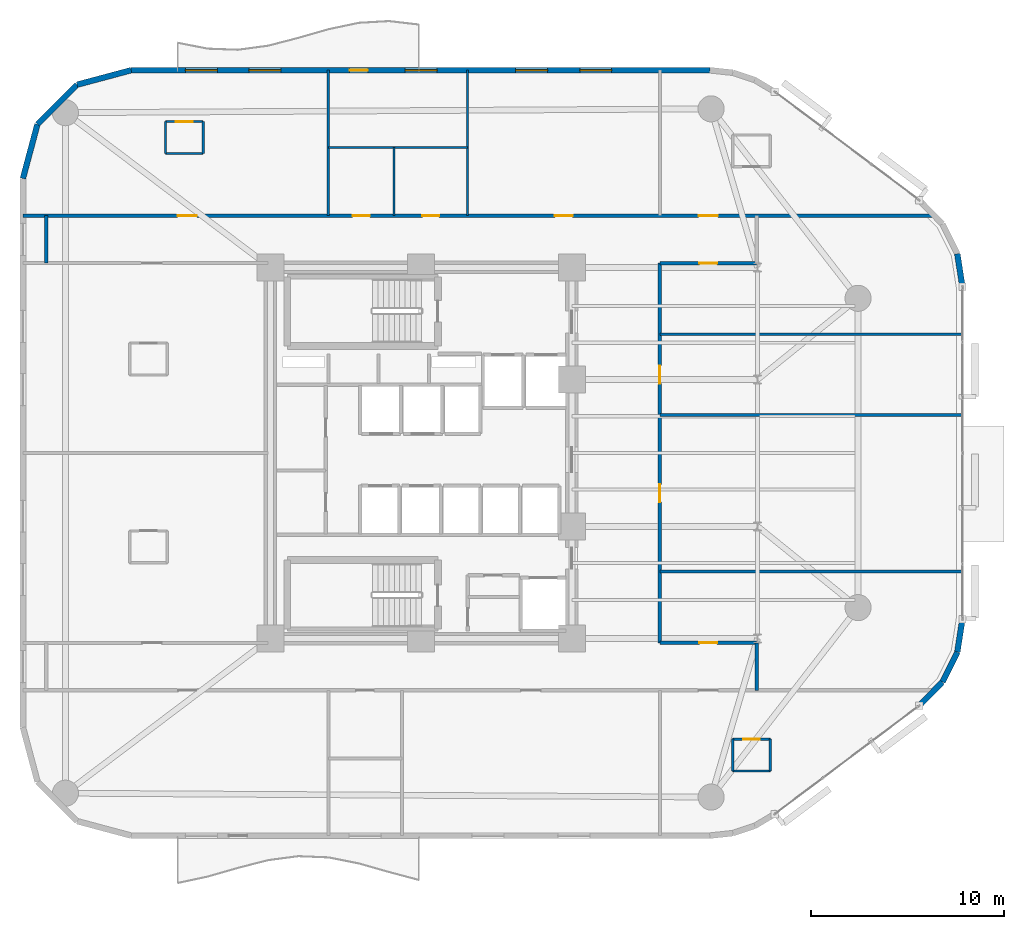
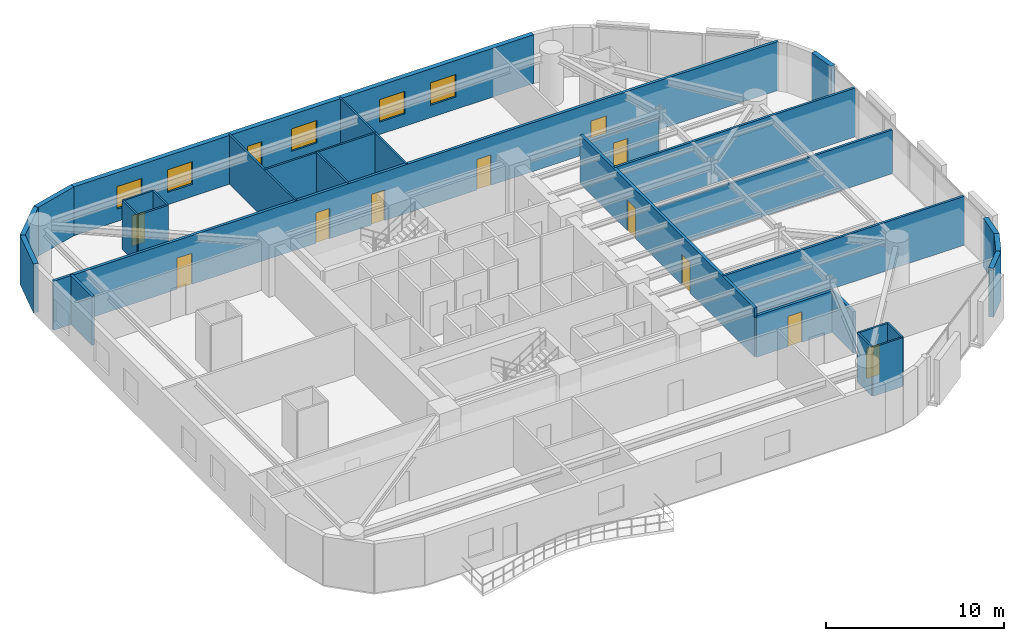
# One storey, part 12 of 15: 29 walls, 12 doors, 5 windows, 17 openings.
"""IFC4 building model written with IfcOpenShell, lengths in metres."""

from ifc_helpers import new_model, si_unit, direction, frame, frame_2d, origin, place, context, subcontext, project, spatial, rectangle, extrude, material, layer, layer_set, type_object, element, fill, save


model = new_model("IFC4")

# Units and contexts
model_context = context("Model", 3, precision=1e-05, world=origin(), true_north=direction((0.0, 1.0)))
body_context = subcontext(model_context, "Body", "Model", "MODEL_VIEW")
ifc_project = project(units=[si_unit("LENGTHUNIT", "METRE"), si_unit("AREAUNIT", "SQUARE_METRE"), si_unit("VOLUMEUNIT", "CUBIC_METRE"), si_unit("PLANEANGLEUNIT", "RADIAN"), si_unit("MASSUNIT", "GRAM", prefix="KILO")], contexts=[model_context])

# Site, building, storey
site_placement = place(None, origin())
site = spatial("IfcSite", under=ifc_project, at=site_placement, CompositionType="ELEMENT")
building_placement = place(site_placement, origin())
building = spatial("IfcBuilding", under=site, at=building_placement, Name="An Khanh Terracotta Commons", CompositionType="ELEMENT")
storey_placement = place(building_placement, frame((0.0, 0.0, 129.5)))
storey = spatial("IfcBuildingStorey", under=building, at=storey_placement, Name="L34", CompositionType="ELEMENT", Elevation=129.5)

# Wall, opening, door
ifc_material_1 = material(Name="Fire-Rated Gypsum Board on Steel Stud", Category="steel")
ifc_layer_1 = layer(ifc_material_1, 0.179931640625, Name="Fire-Rated Gypsum Board on Steel Stud")
ifc_layer_set_1 = layer_set([ifc_layer_1], Name="Fire-Rated Gypsum Board on Steel Stud")
wall_type_1 = type_object("IfcWallType", Name="WALL-CORR-180", PredefinedType="PARTITIONING", material=ifc_layer_set_1)
wall_1_placement = place(storey_placement, frame((41.75, 14.179931640625, 0.0), z_axis=(0.0, 0.0, 1.0), x_axis=(1.0, 0.0, 0.0)))
wall_1 = element("IfcWall", 1, at=wall_1_placement, inside=storey, type_object=wall_type_1, Name="L34 Interior Partition IW-L34-E004", PredefinedType="PARTITIONING", context=body_context, shape_type="SweptSolid", body=[
    extrude(rectangle(XDim=5.0, YDim=0.179931640625, at=frame_2d((2.5, 0.0))), origin(), (0.0, 0.0, 1.0), 2.842041015625),
])
opening_1_placement = place(wall_1_placement, frame((2.0400390625, 0.0, 0.0)))
opening_1 = element("IfcOpeningElement", 2, at=opening_1_placement, cuts=wall_1, Name="Opening D-RM", PredefinedType="OPENING", context=body_context, shape_type="SweptSolid", body=[
    extrude(rectangle(XDim=0.919921875, YDim=2.10009765625, at=frame_2d((0.4599609375, 1.050048828125))), frame((0.0, 0.099853515625, 0.0), z_axis=(0.0, -1.0, 0.0), x_axis=(1.0, 0.0, 0.0)), (0.0, 0.0, 1.0), 0.199951171875),
])
ifc_material_2 = material(Name="Engineered Hardwood Timber Leaf", Category="wood")
door_type_1 = type_object("IfcDoorType", Name="DOOR-INT-920", OperationType="NOTDEFINED", PredefinedType="DOOR", material=ifc_material_2)
door_1_placement = place(opening_1_placement, origin())
door_1 = element("IfcDoor", 3, at=door_1_placement, inside=storey, type_object=door_type_1, Name="L34 FAN1 Collaborative Study Lounge Door", OperationType="SINGLE_SWING_RIGHT", OverallHeight=2.10009765625, OverallWidth=0.919921875, PredefinedType="DOOR", context=body_context, shape_type="SweptSolid", body=[
    extrude(rectangle(XDim=0.919921875, YDim=2.10009765625, at=frame_2d((0.4599609375, 1.050048828125))), frame((0.0, 0.02490234375, 0.0), z_axis=(0.0, -1.0, 0.0), x_axis=(1.0, 0.0, 0.0)), (0.0, 0.0, 1.0), 0.050048828125),
])
fill(opening_1, door_1)

wall_2_placement = place(storey_placement, frame((41.75, 33.820068359375, 0.0), z_axis=(0.0, 0.0, 1.0), x_axis=(1.0, 0.0, 0.0)))
wall_2 = element("IfcWall", 4, at=wall_2_placement, inside=storey, type_object=wall_type_1, Name="L34 Interior Partition IW-L34-E010", PredefinedType="PARTITIONING", context=body_context, shape_type="SweptSolid", body=[
    extrude(rectangle(XDim=5.0, YDim=0.179931640625, at=frame_2d((2.5, 0.0))), origin(), (0.0, 0.0, 1.0), 2.842041015625),
])
opening_2_placement = place(wall_2_placement, frame((2.0400390625, 0.0, 0.0)))
opening_2 = element("IfcOpeningElement", 5, at=opening_2_placement, cuts=wall_2, Name="Opening D-RM", PredefinedType="OPENING", context=body_context, shape_type="SweptSolid", body=[
    extrude(rectangle(XDim=0.919921875, YDim=2.10009765625, at=frame_2d((0.4599609375, 1.050048828125))), frame((0.0, 0.099853515625, 0.0), z_axis=(0.0, -1.0, 0.0), x_axis=(1.0, 0.0, 0.0)), (0.0, 0.0, 1.0), 0.199951171875),
])
door_2_placement = place(opening_2_placement, origin())
door_2 = element("IfcDoor", 6, at=door_2_placement, inside=storey, type_object=door_type_1, Name="L34 FAN4 Collaborative Study Lounge Door", OperationType="SINGLE_SWING_LEFT", OverallHeight=2.10009765625, OverallWidth=0.919921875, PredefinedType="DOOR", context=body_context, shape_type="SweptSolid", body=[
    extrude(rectangle(XDim=0.919921875, YDim=2.10009765625, at=frame_2d((0.4599609375, 1.050048828125))), frame((0.0, 0.02490234375, 0.0), z_axis=(0.0, -1.0, 0.0), x_axis=(1.0, 0.0, 0.0)), (0.0, 0.0, 1.0), 0.050048828125),
])
fill(opening_2, door_2)

# Wall, openings, doors
wall_3_placement = place(storey_placement, frame((8.800048828125, 36.280029296875, 0.0), z_axis=(0.0, 0.0, 1.0), x_axis=(1.0, 0.0, 0.0)))
wall_3 = element("IfcWall", 7, at=wall_3_placement, inside=storey, type_object=wall_type_1, Name="L34 Interior Partition IW-L34-E011", PredefinedType="PARTITIONING", context=body_context, shape_type="SweptSolid", body=[
    extrude(rectangle(XDim=47.140869140625, YDim=0.179931640625, at=frame_2d((23.5703125, 0.0))), origin(), (0.0, 0.0, 1.0), 3.360107421875),
])
opening_3_placement = place(wall_3_placement, frame((17.050048828125, 0.0, 0.0)))
opening_3 = element("IfcOpeningElement", 8, at=opening_3_placement, cuts=wall_3, Name="Opening D-WC", PredefinedType="OPENING", context=body_context, shape_type="SweptSolid", body=[
    extrude(rectangle(XDim=0.89990234375, YDim=2.10009765625, at=frame_2d((0.449951171875, 1.050048828125))), frame((0.0, 0.099853515625, 0.0), z_axis=(0.0, -1.0, 0.0), x_axis=(1.0, 0.0, 0.0)), (0.0, 0.0, 1.0), 0.199951171875),
])
opening_4_placement = place(wall_3_placement, frame((20.669921875, 0.0, 0.0)))
opening_4 = element("IfcOpeningElement", 9, at=opening_4_placement, cuts=wall_3, Name="Opening D-ENS", PredefinedType="OPENING", context=body_context, shape_type="SweptSolid", body=[
    extrude(rectangle(XDim=0.860107421875, YDim=2.10009765625, at=frame_2d((0.43017578125, 1.050048828125))), frame((0.0, 0.099853515625, 0.0), z_axis=(0.0, -1.0, 0.0), x_axis=(1.0, 0.0, 0.0)), (0.0, 0.0, 1.0), 0.199951171875),
])
opening_5_placement = place(wall_3_placement, frame((34.949951171875, 0.0, 0.0)))
opening_5 = element("IfcOpeningElement", 10, at=opening_5_placement, cuts=wall_3, Name="Opening D-UN", PredefinedType="OPENING", context=body_context, shape_type="SweptSolid", body=[
    extrude(rectangle(XDim=1.0, YDim=2.14990234375, at=frame_2d((0.5, 1.074951171875))), frame((0.0, 0.099853515625, 0.0), z_axis=(0.0, -1.0, 0.0), x_axis=(1.0, 0.0, 0.0)), (0.0, 0.0, 1.0), 0.199951171875),
])
opening_6_placement = place(wall_3_placement, frame((8.0, 0.0, 0.0)))
opening_6 = element("IfcOpeningElement", 11, at=opening_6_placement, cuts=wall_3, Name="Opening D-UN", PredefinedType="OPENING", context=body_context, shape_type="SweptSolid", body=[
    extrude(rectangle(XDim=1.0, YDim=2.14990234375, at=frame_2d((0.5, 1.074951171875))), frame((0.0, 0.099853515625, 0.0), z_axis=(0.0, -1.0, 0.0), x_axis=(1.0, 0.0, 0.0)), (0.0, 0.0, 1.0), 0.199951171875),
])
opening_7_placement = place(wall_3_placement, frame((27.514892578125, 0.0, 0.0)))
opening_7 = element("IfcOpeningElement", 12, at=opening_7_placement, cuts=wall_3, Name="Opening D-RM", PredefinedType="OPENING", context=body_context, shape_type="SweptSolid", body=[
    extrude(rectangle(XDim=0.919921875, YDim=2.10009765625, at=frame_2d((0.4599609375, 1.050048828125))), frame((0.0, 0.099853515625, 0.0), z_axis=(0.0, -1.0, 0.0), x_axis=(1.0, 0.0, 0.0)), (0.0, 0.0, 1.0), 0.199951171875),
])
ifc_material_3 = material(Name="Moisture-Resistant Hardwood Timber Leaf", Category="wood")
door_type_2 = type_object("IfcDoorType", Name="DOOR-BATH-860", OperationType="NOTDEFINED", PredefinedType="DOOR", material=ifc_material_3)
door_3_placement = place(opening_4_placement, origin())
door_3 = element("IfcDoor", 13, at=door_3_placement, inside=storey, type_object=door_type_2, Name="L34 SHW Resident Shared Shower and Washroom Door", OperationType="SINGLE_SWING_RIGHT", OverallHeight=2.10009765625, OverallWidth=0.860107421875, PredefinedType="DOOR", context=body_context, shape_type="SweptSolid", body=[
    extrude(rectangle(XDim=0.860107421875, YDim=2.10009765625, at=frame_2d((0.43017578125, 1.050048828125))), frame((0.0, 0.02490234375, 0.0), z_axis=(0.0, -1.0, 0.0), x_axis=(1.0, 0.0, 0.0)), (0.0, 0.0, 1.0), 0.050048828125),
])
fill(opening_4, door_3)
door_4_placement = place(opening_7_placement, origin())
door_4 = element("IfcDoor", 14, at=door_4_placement, inside=storey, type_object=door_type_1, Name="L34 NWE Quiet Focus Office Door", OperationType="SINGLE_SWING_LEFT", OverallHeight=2.10009765625, OverallWidth=0.919921875, PredefinedType="DOOR", context=body_context, shape_type="SweptSolid", body=[
    extrude(rectangle(XDim=0.919921875, YDim=2.10009765625, at=frame_2d((0.4599609375, 1.050048828125))), frame((0.0, 0.02490234375, 0.0), z_axis=(0.0, -1.0, 0.0), x_axis=(1.0, 0.0, 0.0)), (0.0, 0.0, 1.0), 0.050048828125),
])
fill(opening_7, door_4)
ifc_material_4 = material(Name="Solid-Core Hardwood Acoustic Fire Door", Category="wood")
door_type_3 = type_object("IfcDoorType", Name="DOOR-UNIT-1000", OperationType="NOTDEFINED", PredefinedType="DOOR", material=ifc_material_4)
door_5_placement = place(opening_5_placement, origin())
door_5 = element("IfcDoor", 15, at=door_5_placement, inside=storey, type_object=door_type_3, Name="L34 FANN Kitchenette and Studio Apartment Door", OperationType="SINGLE_SWING_RIGHT", OverallHeight=2.14990234375, OverallWidth=1.0, PredefinedType="DOOR", context=body_context, shape_type="SweptSolid", body=[
    extrude(rectangle(XDim=1.0, YDim=2.14990234375, at=frame_2d((0.5, 1.074951171875))), frame((0.0, 0.02490234375, 0.0), z_axis=(0.0, -1.0, 0.0), x_axis=(1.0, 0.0, 0.0)), (0.0, 0.0, 1.0), 0.050048828125),
])
fill(opening_5, door_5)
door_6_placement = place(opening_6_placement, origin())
door_6 = element("IfcDoor", 16, at=door_6_placement, inside=storey, type_object=door_type_3, Name="L34 NW1 Kitchenette and Studio Apartment Door", OperationType="SINGLE_SWING_RIGHT", OverallHeight=2.14990234375, OverallWidth=1.0, PredefinedType="DOOR", context=body_context, shape_type="SweptSolid", body=[
    extrude(rectangle(XDim=1.0, YDim=2.14990234375, at=frame_2d((0.5, 1.074951171875))), frame((0.0, 0.02490234375, 0.0), z_axis=(0.0, -1.0, 0.0), x_axis=(1.0, 0.0, 0.0)), (0.0, 0.0, 1.0), 0.050048828125),
])
fill(opening_6, door_6)
ifc_material_5 = material(Name="Laminate Moisture-Resistant Timber Leaf", Category="wood")
door_type_4 = type_object("IfcDoorType", Name="DOOR-WC-900", OperationType="NOTDEFINED", PredefinedType="DOOR", material=ifc_material_5)
door_7_placement = place(opening_3_placement, origin())
door_7 = element("IfcDoor", 17, at=door_7_placement, inside=storey, type_object=door_type_4, Name="L34 AWC Accessible WC Door", OperationType="SINGLE_SWING_LEFT", OverallHeight=2.10009765625, OverallWidth=0.89990234375, PredefinedType="DOOR", context=body_context, shape_type="SweptSolid", body=[
    extrude(rectangle(XDim=0.89990234375, YDim=2.10009765625, at=frame_2d((0.449951171875, 1.050048828125))), frame((0.0, 0.02490234375, 0.0), z_axis=(0.0, -1.0, 0.0), x_axis=(1.0, 0.0, 0.0)), (0.0, 0.0, 1.0), 0.050048828125),
])
fill(opening_3, door_7)

# Wall
wall_4_placement = place(storey_placement, frame((10.0, 33.820068359375, 0.0), z_axis=(0.0, 0.0, 1.0), x_axis=(0.0, 1.0, 0.0)))
element("IfcWall", 18, at=wall_4_placement, inside=storey, type_object=wall_type_1, Name="L34 Interior Partition IW-L34-E014", PredefinedType="PARTITIONING", context=body_context, shape_type="SweptSolid", body=[
    extrude(rectangle(XDim=2.4599609375, YDim=0.179931640625, at=frame_2d((1.22998046875, 0.0))), origin(), (0.0, 0.0, 1.0), 3.360107421875),
])

# Wall, openings, doors
wall_5_placement = place(storey_placement, frame((41.75, 14.179931640625, 0.0), z_axis=(0.0, 0.0, 1.0), x_axis=(0.0, 1.0, 0.0)))
wall_5 = element("IfcWall", 19, at=wall_5_placement, inside=storey, type_object=wall_type_1, Name="L34 Interior Partition IW-L34-E021", PredefinedType="PARTITIONING", context=body_context, shape_type="SweptSolid", body=[
    extrude(rectangle(XDim=19.64013671875, YDim=0.179931640625, at=frame_2d((9.820068359375, 0.0))), origin(), (0.0, 0.0, 1.0), 3.360107421875),
])
opening_8_placement = place(wall_5_placement, frame((7.27294921875, 0.0, 0.0)))
opening_8 = element("IfcOpeningElement", 20, at=opening_8_placement, cuts=wall_5, Name="Opening D-RM", PredefinedType="OPENING", context=body_context, shape_type="SweptSolid", body=[
    extrude(rectangle(XDim=0.919921875, YDim=2.10009765625, at=frame_2d((0.4599609375, 1.050048828125))), frame((0.0, 0.099853515625, 0.0), z_axis=(0.0, -1.0, 0.0), x_axis=(1.0, 0.0, 0.0)), (0.0, 0.0, 1.0), 0.199951171875),
])
opening_9_placement = place(wall_5_placement, frame((13.412109375, 0.0, 0.0)))
opening_9 = element("IfcOpeningElement", 21, at=opening_9_placement, cuts=wall_5, Name="Opening D-RM", PredefinedType="OPENING", context=body_context, shape_type="SweptSolid", body=[
    extrude(rectangle(XDim=0.919921875, YDim=2.10009765625, at=frame_2d((0.4599609375, 1.050048828125))), frame((0.0, 0.099853515625, 0.0), z_axis=(0.0, -1.0, 0.0), x_axis=(1.0, 0.0, 0.0)), (0.0, 0.0, 1.0), 0.199951171875),
])
door_8_placement = place(opening_8_placement, origin())
door_8 = element("IfcDoor", 22, at=door_8_placement, inside=storey, type_object=door_type_1, Name="L34 FAN2 Riverfront Reading Hall Door", OperationType="SINGLE_SWING_LEFT", OverallHeight=2.10009765625, OverallWidth=0.919921875, PredefinedType="DOOR", context=body_context, shape_type="SweptSolid", body=[
    extrude(rectangle(XDim=0.919921875, YDim=2.10009765625, at=frame_2d((0.4599609375, 1.050048828125))), frame((0.0, 0.02490234375, 0.0), z_axis=(0.0, -1.0, 0.0), x_axis=(1.0, 0.0, 0.0)), (0.0, 0.0, 1.0), 0.050048828125),
])
fill(opening_8, door_8)
door_9_placement = place(opening_9_placement, origin())
door_9 = element("IfcDoor", 23, at=door_9_placement, inside=storey, type_object=door_type_1, Name="L34 FAN3 Collaborative Study Lounge Door", OperationType="SINGLE_SWING_RIGHT", OverallHeight=2.10009765625, OverallWidth=0.919921875, PredefinedType="DOOR", context=body_context, shape_type="SweptSolid", body=[
    extrude(rectangle(XDim=0.919921875, YDim=2.10009765625, at=frame_2d((0.4599609375, 1.050048828125))), frame((0.0, 0.02490234375, 0.0), z_axis=(0.0, -1.0, 0.0), x_axis=(1.0, 0.0, 0.0)), (0.0, 0.0, 1.0), 0.050048828125),
])
fill(opening_9, door_9)

# Walls
wall_6_placement = place(storey_placement, frame((46.75, 11.719970703125, 0.0), z_axis=(0.0, 0.0, 1.0), x_axis=(0.0, 1.0, 0.0)))
element("IfcWall", 24, at=wall_6_placement, inside=storey, type_object=wall_type_1, Name="L34 Interior Partition IW-L34-E023", PredefinedType="PARTITIONING", context=body_context, shape_type="SweptSolid", body=[
    extrude(rectangle(XDim=2.4599609375, YDim=0.179931640625, at=frame_2d((1.22998046875, 0.0))), origin(), (0.0, 0.0, 1.0), 2.842041015625),
])
ifc_material_6 = material(Name="Precast concrete C40/50", Category="concrete")
ifc_layer_2 = layer(ifc_material_6, 0.300048828125, Name="Precast concrete C40/50")
ifc_layer_set_2 = layer_set([ifc_layer_2], Name="Precast concrete C40/50")
wall_type_2 = type_object("IfcWallType", Name="WALL-EXT-300", PredefinedType="SOLIDWALL", material=ifc_layer_set_2)
for number, where, z_axis, x_axis, name in (
    (25, (55.159912109375, 10.919921875, 0.0), (0.0, 0.0, 1.0), (0.6983450845, 0.715761233201, 0.0), "L34 Insulated Terracotta Exterior Wall 9"),
    (26, (56.364013671875, 12.154052734375, 0.0), (0.0, 0.0, 1.0), (0.4472135955, 0.894427191, 0.0), "L34 Insulated Terracotta Exterior Wall 10"),
):
    element("IfcWall", number, at=place(storey_placement, frame(where, z_axis=z_axis, x_axis=x_axis)), inside=storey, type_object=wall_type_2, Name=name, PredefinedType="SOLIDWALL", context=body_context, shape_type="SweptSolid", body=[
        extrude(rectangle(XDim=1.72412109375, YDim=0.300048828125, at=frame_2d((0.862060546875, 0.0))), origin(), (0.0, 0.0, 1.0), 3.360107421875),
    ])
for number, where, z_axis, x_axis, name in (
    (27, (57.135009765625, 13.696044921875, 0.0), (0.0, 0.0, 1.0), (0.153620989032, 0.988129845581, 0.0), "L34 Insulated Terracotta Exterior Wall 11"),
    (28, (57.39990234375, 32.60009765625, 0.0), (0.0, 0.0, 1.0), (-0.153620989032, 0.988129845581, 0.0), "L34 Insulated Terracotta Exterior Wall 13"),
):
    element("IfcWall", number, at=place(storey_placement, frame(where, z_axis=z_axis, x_axis=x_axis)), inside=storey, type_object=wall_type_2, Name=name, PredefinedType="SOLIDWALL", context=body_context, shape_type="SweptSolid", body=[
        extrude(rectangle(XDim=1.724365234375, YDim=0.300048828125, at=frame_2d((0.8623046875, 0.0))), origin(), (0.0, 0.0, 1.0), 3.360107421875),
    ])

# Wall, openings, door, windows
wall_7_placement = place(storey_placement, frame((44.3330078125, 43.800048828125, 0.0), z_axis=(0.0, 0.0, 1.0), x_axis=(-1.0, 0.0, 0.0)))
wall_7 = element("IfcWall", 29, at=wall_7_placement, inside=storey, type_object=wall_type_2, Name="L34 Insulated Terracotta Exterior Wall 20", PredefinedType="SOLIDWALL", context=body_context, shape_type="SweptSolid", body=[
    extrude(rectangle(XDim=29.93310546875, YDim=0.300048828125, at=frame_2d((14.966552734375, 0.0))), origin(), (0.0, 0.0, 1.0), 3.360107421875),
])
opening_10_placement = place(wall_7_placement, frame((17.68310546875, 0.0, 0.0)))
opening_10 = element("IfcOpeningElement", 30, at=opening_10_placement, cuts=wall_7, Name="Opening D-BAL", PredefinedType="OPENING", context=body_context, shape_type="SweptSolid", body=[
    extrude(rectangle(XDim=0.949951171875, YDim=2.199951171875, at=frame_2d((0.47509765625, 1.10009765625))), frame((0.0, 0.159912109375, 0.0), z_axis=(0.0, -1.0, 0.0), x_axis=(1.0, 0.0, 0.0)), (0.0, 0.0, 1.0), 0.320068359375),
])
opening_11_placement = place(wall_7_placement, frame((5.074951171875, 0.0, 0.85009765625)))
opening_11 = element("IfcOpeningElement", 31, at=opening_11_placement, cuts=wall_7, Name="Opening W-02", PredefinedType="OPENING", context=body_context, shape_type="SweptSolid", body=[
    extrude(rectangle(XDim=1.64990234375, YDim=1.550048828125, at=frame_2d((0.824951171875, 0.77490234375))), frame((0.0, 0.159912109375, 0.0), z_axis=(0.0, -1.0, 0.0), x_axis=(1.0, 0.0, 0.0)), (0.0, 0.0, 1.0), 0.320068359375),
])
opening_12_placement = place(wall_7_placement, frame((8.39111328125, 0.0, 0.85009765625)))
opening_12 = element("IfcOpeningElement", 32, at=opening_12_placement, cuts=wall_7, Name="Opening W-02", PredefinedType="OPENING", context=body_context, shape_type="SweptSolid", body=[
    extrude(rectangle(XDim=1.64990234375, YDim=1.550048828125, at=frame_2d((0.824951171875, 0.77490234375))), frame((0.0, 0.159912109375, 0.0), z_axis=(0.0, -1.0, 0.0), x_axis=(1.0, 0.0, 0.0)), (0.0, 0.0, 1.0), 0.320068359375),
])
opening_13_placement = place(wall_7_placement, frame((14.10791015625, 0.0, 0.85009765625)))
opening_13 = element("IfcOpeningElement", 33, at=opening_13_placement, cuts=wall_7, Name="Opening W-02", PredefinedType="OPENING", context=body_context, shape_type="SweptSolid", body=[
    extrude(rectangle(XDim=1.64990234375, YDim=1.550048828125, at=frame_2d((0.824951171875, 0.77490234375))), frame((0.0, 0.159912109375, 0.0), z_axis=(0.0, -1.0, 0.0), x_axis=(1.0, 0.0, 0.0)), (0.0, 0.0, 1.0), 0.320068359375),
])
opening_14_placement = place(wall_7_placement, frame((22.19091796875, 0.0, 0.85009765625)))
opening_14 = element("IfcOpeningElement", 34, at=opening_14_placement, cuts=wall_7, Name="Opening W-02", PredefinedType="OPENING", context=body_context, shape_type="SweptSolid", body=[
    extrude(rectangle(XDim=1.64990234375, YDim=1.550048828125, at=frame_2d((0.824951171875, 0.77490234375))), frame((0.0, 0.159912109375, 0.0), z_axis=(0.0, -1.0, 0.0), x_axis=(1.0, 0.0, 0.0)), (0.0, 0.0, 1.0), 0.320068359375),
])
opening_15_placement = place(wall_7_placement, frame((25.47509765625, 0.0, 0.85009765625)))
opening_15 = element("IfcOpeningElement", 35, at=opening_15_placement, cuts=wall_7, Name="Opening W-02", PredefinedType="OPENING", context=body_context, shape_type="SweptSolid", body=[
    extrude(rectangle(XDim=1.64990234375, YDim=1.550048828125, at=frame_2d((0.824951171875, 0.77490234375))), frame((0.0, 0.159912109375, 0.0), z_axis=(0.0, -1.0, 0.0), x_axis=(1.0, 0.0, 0.0)), (0.0, 0.0, 1.0), 0.320068359375),
])
ifc_material_7 = material(Name="Thermally Broken Aluminium and Low-E Glass", Category="aluminium")
door_type_5 = type_object("IfcDoorType", Name="DOOR-BALC-950", OperationType="NOTDEFINED", PredefinedType="DOOR", material=ifc_material_7)
door_10_placement = place(opening_10_placement, origin())
door_10 = element("IfcDoor", 36, at=door_10_placement, inside=storey, type_object=door_type_5, Name="L34 N Wave Balcony Glazed Door", OperationType="SINGLE_SWING_RIGHT", OverallHeight=2.199951171875, OverallWidth=0.949951171875, PredefinedType="DOOR", context=body_context, shape_type="SweptSolid", body=[
    extrude(rectangle(XDim=0.949951171875, YDim=2.199951171875, at=frame_2d((0.47509765625, 1.10009765625))), frame((0.0, 0.02490234375, 0.0), z_axis=(0.0, -1.0, 0.0), x_axis=(1.0, 0.0, 0.0)), (0.0, 0.0, 1.0), 0.050048828125),
])
fill(opening_10, door_10)
window_type = type_object("IfcWindowType", Name="WIN-Z2-1650x1550", PartitioningType="DOUBLE_PANEL_VERTICAL", PredefinedType="WINDOW", material=ifc_material_7)
window_1_placement = place(opening_11_placement, origin())
window_1 = element("IfcWindow", 37, at=window_1_placement, inside=storey, type_object=window_type, Name="L34 Operable Casement Window 20.1", OverallHeight=1.550048828125, OverallWidth=1.64990234375, PartitioningType="DOUBLE_PANEL_VERTICAL", PredefinedType="WINDOW", context=body_context, shape_type="SweptSolid", body=[
    extrude(rectangle(XDim=1.64990234375, YDim=1.550048828125, at=frame_2d((0.824951171875, 0.77490234375))), frame((0.0, 0.030029296875, 0.0), z_axis=(0.0, -1.0, 0.0), x_axis=(1.0, 0.0, 0.0)), (0.0, 0.0, 1.0), 0.06005859375),
])
fill(opening_11, window_1)
window_2_placement = place(opening_12_placement, origin())
window_2 = element("IfcWindow", 38, at=window_2_placement, inside=storey, type_object=window_type, Name="L34 Operable Casement Window 20.2", OverallHeight=1.550048828125, OverallWidth=1.64990234375, PartitioningType="DOUBLE_PANEL_VERTICAL", PredefinedType="WINDOW", context=body_context, shape_type="SweptSolid", body=[
    extrude(rectangle(XDim=1.64990234375, YDim=1.550048828125, at=frame_2d((0.824951171875, 0.77490234375))), frame((0.0, 0.030029296875, 0.0), z_axis=(0.0, -1.0, 0.0), x_axis=(1.0, 0.0, 0.0)), (0.0, 0.0, 1.0), 0.06005859375),
])
fill(opening_12, window_2)
window_3_placement = place(opening_13_placement, origin())
window_3 = element("IfcWindow", 39, at=window_3_placement, inside=storey, type_object=window_type, Name="L34 Operable Casement Window 20.3", OverallHeight=1.550048828125, OverallWidth=1.64990234375, PartitioningType="DOUBLE_PANEL_VERTICAL", PredefinedType="WINDOW", context=body_context, shape_type="SweptSolid", body=[
    extrude(rectangle(XDim=1.64990234375, YDim=1.550048828125, at=frame_2d((0.824951171875, 0.77490234375))), frame((0.0, 0.030029296875, 0.0), z_axis=(0.0, -1.0, 0.0), x_axis=(1.0, 0.0, 0.0)), (0.0, 0.0, 1.0), 0.06005859375),
])
fill(opening_13, window_3)
window_4_placement = place(opening_14_placement, origin())
window_4 = element("IfcWindow", 40, at=window_4_placement, inside=storey, type_object=window_type, Name="L34 Operable Casement Window 20.4", OverallHeight=1.550048828125, OverallWidth=1.64990234375, PartitioningType="DOUBLE_PANEL_VERTICAL", PredefinedType="WINDOW", context=body_context, shape_type="SweptSolid", body=[
    extrude(rectangle(XDim=1.64990234375, YDim=1.550048828125, at=frame_2d((0.824951171875, 0.77490234375))), frame((0.0, 0.030029296875, 0.0), z_axis=(0.0, -1.0, 0.0), x_axis=(1.0, 0.0, 0.0)), (0.0, 0.0, 1.0), 0.06005859375),
])
fill(opening_14, window_4)
window_5_placement = place(opening_15_placement, origin())
window_5 = element("IfcWindow", 41, at=window_5_placement, inside=storey, type_object=window_type, Name="L34 Operable Casement Window 20.5", OverallHeight=1.550048828125, OverallWidth=1.64990234375, PartitioningType="DOUBLE_PANEL_VERTICAL", PredefinedType="WINDOW", context=body_context, shape_type="SweptSolid", body=[
    extrude(rectangle(XDim=1.64990234375, YDim=1.550048828125, at=frame_2d((0.824951171875, 0.77490234375))), frame((0.0, 0.030029296875, 0.0), z_axis=(0.0, -1.0, 0.0), x_axis=(1.0, 0.0, 0.0)), (0.0, 0.0, 1.0), 0.06005859375),
])
fill(opening_15, window_5)

# Walls
wall_8_placement = place(storey_placement, frame((14.39990234375, 43.800048828125, 0.0), z_axis=(0.0, 0.0, 1.0), x_axis=(-0.965943540406, -0.258752926066, 0.0)))
element("IfcWall", 42, at=wall_8_placement, inside=storey, type_object=wall_type_2, Name="L34 Insulated Terracotta Exterior Wall 21", PredefinedType="SOLIDWALL", context=body_context, shape_type="SweptSolid", body=[
    extrude(rectangle(XDim=2.8984375, YDim=0.300048828125, at=frame_2d((1.44921875, 0.0))), origin(), (0.0, 0.0, 1.0), 3.360107421875),
])
wall_9_placement = place(storey_placement, frame((11.60009765625, 43.050048828125, 0.0), z_axis=(0.0, 0.0, 1.0), x_axis=(-0.707106781187, -0.707106781187, 0.0)))
element("IfcWall", 43, at=wall_9_placement, inside=storey, type_object=wall_type_2, Name="L34 Insulated Terracotta Exterior Wall 22", PredefinedType="SOLIDWALL", context=body_context, shape_type="SweptSolid", body=[
    extrude(rectangle(XDim=2.899169921875, YDim=0.300048828125, at=frame_2d((1.44970703125, 0.0))), origin(), (0.0, 0.0, 1.0), 3.360107421875),
])
wall_10_placement = place(storey_placement, frame((9.550048828125, 41.0, 0.0), z_axis=(0.0, 0.0, 1.0), x_axis=(-0.258731875344, -0.96594917914, 0.0)))
element("IfcWall", 44, at=wall_10_placement, inside=storey, type_object=wall_type_2, Name="L34 Insulated Terracotta Exterior Wall 23", PredefinedType="SOLIDWALL", context=body_context, shape_type="SweptSolid", body=[
    extrude(rectangle(XDim=2.898681640625, YDim=0.300048828125, at=frame_2d((1.44921875, 0.0))), origin(), (0.0, 0.0, 1.0), 3.360107421875),
])
ifc_material_8 = material(Name="Acoustic Gypsum Board Partition")
ifc_layer_3 = layer(ifc_material_8, 0.14990234375, Name="Acoustic Gypsum Board Partition")
ifc_layer_set_3 = layer_set([ifc_layer_3], Name="Acoustic Gypsum Board Partition")
wall_type_3 = type_object("IfcWallType", Name="WALL-PART-150", PredefinedType="PARTITIONING", material=ifc_layer_set_3)
wall_11_placement = place(storey_placement, frame((41.75, 17.860107421875, 0.0), z_axis=(0.0, 0.0, 1.0), x_axis=(1.0, 0.0, 0.0)))
element("IfcWall", 45, at=wall_11_placement, inside=storey, type_object=wall_type_3, Name="L34 Interior Partition IW-L34-E005", PredefinedType="PARTITIONING", context=body_context, shape_type="SweptSolid", body=[
    extrude(rectangle(XDim=15.64990234375, YDim=0.14990234375, at=frame_2d((7.824951171875, 0.0))), origin(), (0.0, 0.0, 1.0), 3.360107421875),
])
wall_12_placement = place(storey_placement, frame((41.75, 25.965087890625, 0.0), z_axis=(0.0, 0.0, 1.0), x_axis=(1.0, 0.0, 0.0)))
element("IfcWall", 46, at=wall_12_placement, inside=storey, type_object=wall_type_3, Name="L34 Interior Partition IW-L34-E007", PredefinedType="PARTITIONING", context=body_context, shape_type="SweptSolid", body=[
    extrude(rectangle(XDim=15.64990234375, YDim=0.14990234375, at=frame_2d((7.824951171875, 0.0))), origin(), (0.0, 0.0, 1.0), 3.011962890625),
])
wall_13_placement = place(storey_placement, frame((41.75, 30.139892578125, 0.0), z_axis=(0.0, 0.0, 1.0), x_axis=(1.0, 0.0, 0.0)))
element("IfcWall", 47, at=wall_13_placement, inside=storey, type_object=wall_type_3, Name="L34 Interior Partition IW-L34-E008", PredefinedType="PARTITIONING", context=body_context, shape_type="SweptSolid", body=[
    extrude(rectangle(XDim=15.64990234375, YDim=0.14990234375, at=frame_2d((7.824951171875, 0.0))), origin(), (0.0, 0.0, 1.0), 3.360107421875),
])

# Wall, opening, door
ifc_material_9 = material(Name="Moisture-Resistant Cement Board Partition")
ifc_layer_4 = layer(ifc_material_9, 0.1201171875, Name="Moisture-Resistant Cement Board Partition")
ifc_layer_set_4 = layer_set([ifc_layer_4], Name="Moisture-Resistant Cement Board Partition")
wall_type_4 = type_object("IfcWallType", Name="WALL-WET-120", PredefinedType="PARTITIONING", material=ifc_layer_set_4)
wall_14_placement = place(storey_placement, frame((45.51611328125, 9.198974609375, 0.0), z_axis=(0.0, 0.0, 1.0), x_axis=(1.0, 0.0, 0.0)))
wall_14 = element("IfcWall", 48, at=wall_14_placement, inside=storey, type_object=wall_type_4, Name="L34 Interior Partition IW-L34-FANS-BN", PredefinedType="PARTITIONING", context=body_context, shape_type="SweptSolid", body=[
    extrude(rectangle(XDim=1.949951171875, YDim=0.1201171875, at=frame_2d((0.97509765625, 0.0))), origin(), (0.0, 0.0, 1.0), 3.360107421875),
])
opening_16_placement = place(wall_14_placement, frame((0.544921875, 0.0, 0.0)))
opening_16 = element("IfcOpeningElement", 49, at=opening_16_placement, cuts=wall_14, Name="Opening D-ENS", PredefinedType="OPENING", context=body_context, shape_type="SweptSolid", body=[
    extrude(rectangle(XDim=0.860107421875, YDim=2.10009765625, at=frame_2d((0.43017578125, 1.050048828125))), frame((0.0, 0.070068359375, 0.0), z_axis=(0.0, -1.0, 0.0), x_axis=(1.0, 0.0, 0.0)), (0.0, 0.0, 1.0), 0.14013671875),
])
door_11_placement = place(opening_16_placement, origin())
door_11 = element("IfcDoor", 50, at=door_11_placement, inside=storey, type_object=door_type_2, Name="L34 Studio FANS En-suite Door", OperationType="SINGLE_SWING_LEFT", OverallHeight=2.10009765625, OverallWidth=0.860107421875, PredefinedType="DOOR", context=body_context, shape_type="SweptSolid", body=[
    extrude(rectangle(XDim=0.860107421875, YDim=2.10009765625, at=frame_2d((0.43017578125, 1.050048828125))), frame((0.0, 0.02490234375, 0.0), z_axis=(0.0, -1.0, 0.0), x_axis=(1.0, 0.0, 0.0)), (0.0, 0.0, 1.0), 0.050048828125),
])
fill(opening_16, door_11)

# Walls
wall_15_placement = place(storey_placement, frame((47.466064453125, 7.549072265625, 0.0), z_axis=(0.0, 0.0, 1.0), x_axis=(-1.0, 0.0, 0.0)))
element("IfcWall", 51, at=wall_15_placement, inside=storey, type_object=wall_type_4, Name="L34 Interior Partition IW-L34-FANS-BS", PredefinedType="PARTITIONING", context=body_context, shape_type="SweptSolid", body=[
    extrude(rectangle(XDim=1.949951171875, YDim=0.1201171875, at=frame_2d((0.97509765625, 0.0))), origin(), (0.0, 0.0, 1.0), 3.360107421875),
])
for number, where, z_axis, x_axis, name in (
    (52, (45.51611328125, 9.198974609375, 0.0), (0.0, 0.0, 1.0), (0.0, -1.0, 0.0), "L34 Interior Partition IW-L34-FANS-BW"),
    (53, (47.466064453125, 7.549072265625, 0.0), (0.0, 0.0, 1.0), (0.0, 1.0, 0.0), "L34 Interior Partition IW-L34-FANS-BE"),
):
    element("IfcWall", number, at=place(storey_placement, frame(where, z_axis=z_axis, x_axis=x_axis)), inside=storey, type_object=wall_type_4, Name=name, PredefinedType="PARTITIONING", context=body_context, shape_type="SweptSolid", body=[
        extrude(rectangle(XDim=1.64990234375, YDim=0.1201171875, at=frame_2d((0.824951171875, 0.0))), origin(), (0.0, 0.0, 1.0), 3.360107421875),
    ])

# Wall, opening, door
wall_16_placement = place(storey_placement, frame((16.174072265625, 41.14208984375, 0.0), z_axis=(0.0, 0.0, 1.0), x_axis=(1.0, 0.0, 0.0)))
wall_16 = element("IfcWall", 54, at=wall_16_placement, inside=storey, type_object=wall_type_4, Name="L34 Interior Partition IW-L34-NW1-BN", PredefinedType="PARTITIONING", context=body_context, shape_type="SweptSolid", body=[
    extrude(rectangle(XDim=1.949951171875, YDim=0.1201171875, at=frame_2d((0.97509765625, 0.0))), origin(), (0.0, 0.0, 1.0), 3.360107421875),
])
opening_17_placement = place(wall_16_placement, frame((0.544921875, 0.0, 0.0)))
opening_17 = element("IfcOpeningElement", 55, at=opening_17_placement, cuts=wall_16, Name="Opening D-ENS", PredefinedType="OPENING", context=body_context, shape_type="SweptSolid", body=[
    extrude(rectangle(XDim=0.860107421875, YDim=2.10009765625, at=frame_2d((0.43017578125, 1.050048828125))), frame((0.0, 0.070068359375, 0.0), z_axis=(0.0, -1.0, 0.0), x_axis=(1.0, 0.0, 0.0)), (0.0, 0.0, 1.0), 0.14013671875),
])
door_12_placement = place(opening_17_placement, origin())
door_12 = element("IfcDoor", 56, at=door_12_placement, inside=storey, type_object=door_type_2, Name="L34 Studio NW1 En-suite Door", OperationType="SINGLE_SWING_RIGHT", OverallHeight=2.10009765625, OverallWidth=0.860107421875, PredefinedType="DOOR", context=body_context, shape_type="SweptSolid", body=[
    extrude(rectangle(XDim=0.860107421875, YDim=2.10009765625, at=frame_2d((0.43017578125, 1.050048828125))), frame((0.0, 0.02490234375, 0.0), z_axis=(0.0, -1.0, 0.0), x_axis=(1.0, 0.0, 0.0)), (0.0, 0.0, 1.0), 0.050048828125),
])
fill(opening_17, door_12)

# Walls
wall_17_placement = place(storey_placement, frame((18.1240234375, 39.491943359375, 0.0), z_axis=(0.0, 0.0, 1.0), x_axis=(-1.0, 0.0, 0.0)))
element("IfcWall", 57, at=wall_17_placement, inside=storey, type_object=wall_type_4, Name="L34 Interior Partition IW-L34-NW1-BS", PredefinedType="PARTITIONING", context=body_context, shape_type="SweptSolid", body=[
    extrude(rectangle(XDim=1.949951171875, YDim=0.1201171875, at=frame_2d((0.97509765625, 0.0))), origin(), (0.0, 0.0, 1.0), 3.360107421875),
])
for number, where, z_axis, x_axis, name in (
    (58, (16.174072265625, 41.14208984375, 0.0), (0.0, 0.0, 1.0), (0.0, -1.0, 0.0), "L34 Interior Partition IW-L34-NW1-BW"),
    (59, (18.1240234375, 39.491943359375, 0.0), (0.0, 0.0, 1.0), (0.0, 1.0, 0.0), "L34 Interior Partition IW-L34-NW1-BE"),
):
    element("IfcWall", number, at=place(storey_placement, frame(where, z_axis=z_axis, x_axis=x_axis)), inside=storey, type_object=wall_type_4, Name=name, PredefinedType="PARTITIONING", context=body_context, shape_type="SweptSolid", body=[
        extrude(rectangle(XDim=1.650146484375, YDim=0.1201171875, at=frame_2d((0.8251953125, 0.0))), origin(), (0.0, 0.0, 1.0), 3.360107421875),
    ])
wall_18_placement = place(storey_placement, frame((24.60009765625, 39.800048828125, 0.0), z_axis=(0.0, 0.0, 1.0), x_axis=(1.0, 0.0, 0.0)))
element("IfcWall", 60, at=wall_18_placement, inside=storey, type_object=wall_type_4, Name="L34 Interior Partition IW-L34-E012", PredefinedType="PARTITIONING", context=body_context, shape_type="SweptSolid", body=[
    extrude(rectangle(XDim=7.199951171875, YDim=0.1201171875, at=frame_2d((3.60009765625, 0.0))), origin(), (0.0, 0.0, 1.0), 3.360107421875),
])
wall_19_placement = place(storey_placement, frame((24.60009765625, 36.280029296875, 0.0), z_axis=(0.0, 0.0, 1.0), x_axis=(0.0, 1.0, 0.0)))
element("IfcWall", 61, at=wall_19_placement, inside=storey, type_object=wall_type_4, Name="L34 Interior Partition IW-L34-E016", PredefinedType="PARTITIONING", context=body_context, shape_type="SweptSolid", body=[
    extrude(rectangle(XDim=7.52001953125, YDim=0.1201171875, at=frame_2d((3.760009765625, 0.0))), origin(), (0.0, 0.0, 1.0), 3.360107421875),
])
wall_20_placement = place(storey_placement, frame((28.0, 36.280029296875, 0.0), z_axis=(0.0, 0.0, 1.0), x_axis=(0.0, 1.0, 0.0)))
element("IfcWall", 62, at=wall_20_placement, inside=storey, type_object=wall_type_4, Name="L34 Interior Partition IW-L34-E017", PredefinedType="PARTITIONING", context=body_context, shape_type="SweptSolid", body=[
    extrude(rectangle(XDim=3.52001953125, YDim=0.1201171875, at=frame_2d((1.760009765625, 0.0))), origin(), (0.0, 0.0, 1.0), 3.360107421875),
])
wall_21_placement = place(storey_placement, frame((31.800048828125, 36.280029296875, 0.0), z_axis=(0.0, 0.0, 1.0), x_axis=(0.0, 1.0, 0.0)))
element("IfcWall", 63, at=wall_21_placement, inside=storey, type_object=wall_type_4, Name="L34 Interior Partition IW-L34-E019", PredefinedType="PARTITIONING", context=body_context, shape_type="SweptSolid", body=[
    extrude(rectangle(XDim=7.52001953125, YDim=0.1201171875, at=frame_2d((3.760009765625, 0.0))), origin(), (0.0, 0.0, 1.0), 3.360107421875),
])

save(model, "model.ifc")
